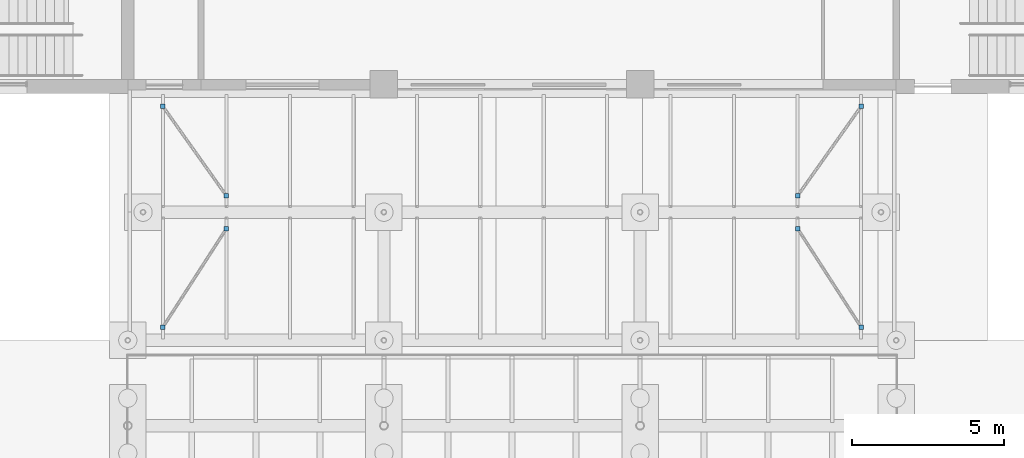
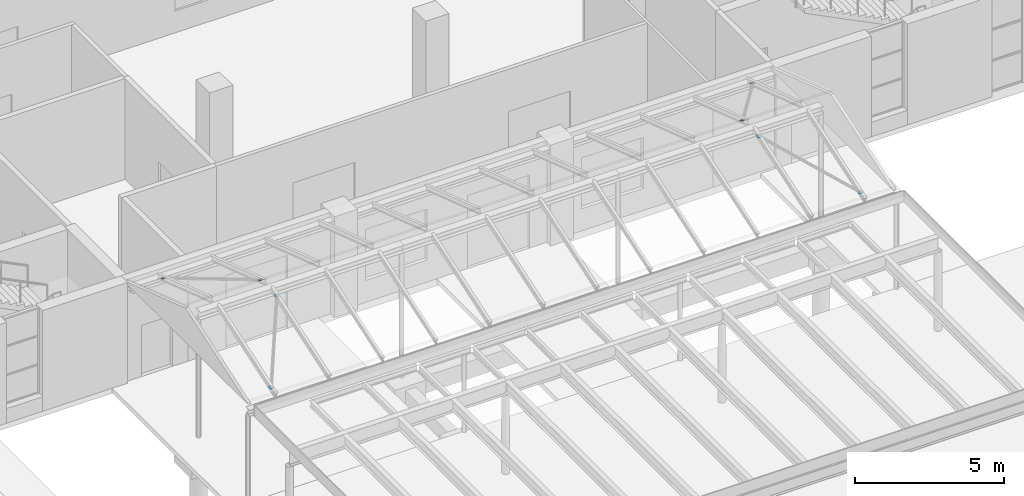
# One storey, part 126 of 138: 8 discrete accessories.
"""IFC4 building model written with IfcOpenShell, lengths in metres."""

from ifc_helpers import new_model, si_unit, direction, frame, origin, origin_2d, place, context, subcontext, project, spatial, rectangle, extrude, material, material_profile, profile_set, type_object, element, save


model = new_model("IFC4")

# Units and contexts
model_context = context("Model", 3, precision=1e-05, world=origin(), true_north=direction((0.0, 1.0)))
body_context = subcontext(model_context, "Body", "Model", "MODEL_VIEW")
ifc_project = project(units=[si_unit("LENGTHUNIT", "METRE"), si_unit("AREAUNIT", "SQUARE_METRE"), si_unit("VOLUMEUNIT", "CUBIC_METRE"), si_unit("PLANEANGLEUNIT", "RADIAN"), si_unit("MASSUNIT", "GRAM", prefix="KILO")], contexts=[model_context])

# Site, building, storey
site_placement = place(None, origin())
site = spatial("IfcSite", under=ifc_project, at=site_placement, CompositionType="ELEMENT")
building_placement = place(site_placement, origin())
building = spatial("IfcBuilding", under=site, at=building_placement, Name="Yavir Park General Hospital", CompositionType="ELEMENT")
storey_placement = place(building_placement, origin())
storey = spatial("IfcBuildingStorey", under=building, at=storey_placement, Name="L00", CompositionType="ELEMENT", Elevation=0.0)

# Discrete accessories
ifc_material = material(Name="Steel S355", Category="steel")
ifc_material_profile = material_profile(ifc_material, rectangle(XDim=0.14990234375, YDim=0.14990234375, at=origin_2d()), Name="PL150x150")
ifc_profile_set = profile_set([ifc_material_profile], Name="Steel S355")
discrete_accessory_type = type_object("IfcDiscreteAccessoryType", Name="Brace gusset plate 150 x 150 x 10", PredefinedType="BRACKET", material=ifc_profile_set)
for number, where, z_axis, x_axis, name in (
    (1, (76.75, -7.969482421875, 4.07470703125), (0.0, -0.294085848838, 0.955779008722), (1.0, 0.0, 0.0), "Porch roof brace 1 gusset plate 1"),
    (2, (78.831787109375, -4.739990234375, 5.151123046875), (0.0, -0.316227766017, 0.948683298051), (1.0, 0.0, 0.0), "Porch roof brace 1 gusset plate 2"),
    (3, (99.64990234375, -7.969482421875, 4.07470703125), (0.0, -0.294085848838, 0.955779008722), (1.0, 0.0, 0.0), "Porch roof brace 2 gusset plate 1"),
    (4, (97.568115234375, -4.739990234375, 5.151123046875), (0.0, -0.316227766017, 0.948683298051), (1.0, 0.0, 0.0), "Porch roof brace 2 gusset plate 2"),
):
    element("IfcDiscreteAccessory", number, at=place(storey_placement, frame(where, z_axis=z_axis, x_axis=x_axis)), inside=storey, type_object=discrete_accessory_type, Name=name, PredefinedType="BRACKET", context=body_context, shape_type="SweptSolid", body=[
        extrude(rectangle(XDim=0.14990234375, YDim=0.14990234375, at=origin_2d()), origin(), (0.0, 0.0, 1.0), 0.010009765625),
    ])
discrete_accessory_1_placement = place(storey_placement, frame((76.75, -0.730712890625, 4.1748046875), z_axis=(0.0, 0.323687679063, 0.946163984953), x_axis=(-1.0, 0.0, 0.0)))
element("IfcDiscreteAccessory", 5, at=discrete_accessory_1_placement, inside=storey, type_object=discrete_accessory_type, Name="Porch roof brace 3 gusset plate 1", PredefinedType="BRACKET", context=body_context, shape_type="SweptSolid", body=[
    extrude(rectangle(XDim=0.14990234375, YDim=0.14990234375, at=origin_2d()), origin(), (0.0, 0.0, 1.0), 0.009765625),
])
discrete_accessory_2_placement = place(storey_placement, frame((78.831787109375, -3.659912109375, 5.151123046875), z_axis=(0.0, 0.316227766017, 0.948683298051), x_axis=(-1.0, 0.0, 0.0)))
element("IfcDiscreteAccessory", 6, at=discrete_accessory_2_placement, inside=storey, type_object=discrete_accessory_type, Name="Porch roof brace 3 gusset plate 2", PredefinedType="BRACKET", context=body_context, shape_type="SweptSolid", body=[
    extrude(rectangle(XDim=0.14990234375, YDim=0.14990234375, at=origin_2d()), origin(), (0.0, 0.0, 1.0), 0.010009765625),
])
discrete_accessory_3_placement = place(storey_placement, frame((99.64990234375, -0.730712890625, 4.1748046875), z_axis=(0.0, 0.323687679063, 0.946163984953), x_axis=(-1.0, 0.0, 0.0)))
element("IfcDiscreteAccessory", 7, at=discrete_accessory_3_placement, inside=storey, type_object=discrete_accessory_type, Name="Porch roof brace 4 gusset plate 1", PredefinedType="BRACKET", context=body_context, shape_type="SweptSolid", body=[
    extrude(rectangle(XDim=0.14990234375, YDim=0.14990234375, at=origin_2d()), origin(), (0.0, 0.0, 1.0), 0.009765625),
])
discrete_accessory_4_placement = place(storey_placement, frame((97.568115234375, -3.659912109375, 5.151123046875), z_axis=(0.0, 0.316227766017, 0.948683298051), x_axis=(-1.0, 0.0, 0.0)))
element("IfcDiscreteAccessory", 8, at=discrete_accessory_4_placement, inside=storey, type_object=discrete_accessory_type, Name="Porch roof brace 4 gusset plate 2", PredefinedType="BRACKET", context=body_context, shape_type="SweptSolid", body=[
    extrude(rectangle(XDim=0.14990234375, YDim=0.14990234375, at=origin_2d()), origin(), (0.0, 0.0, 1.0), 0.010009765625),
])

save(model, "model.ifc")
